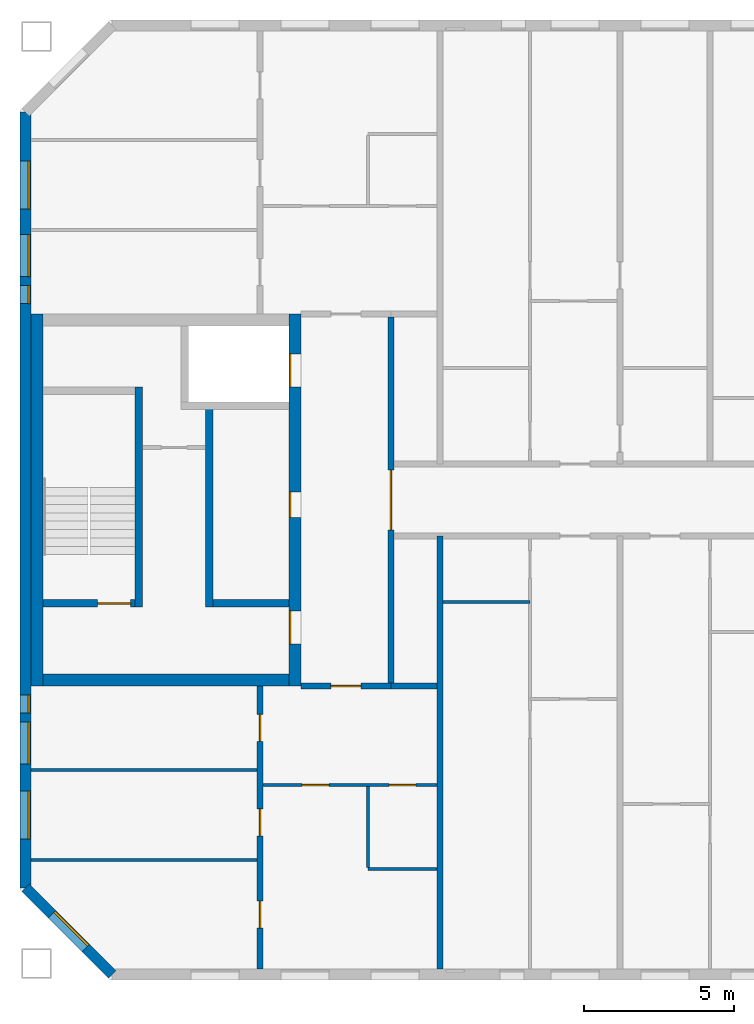
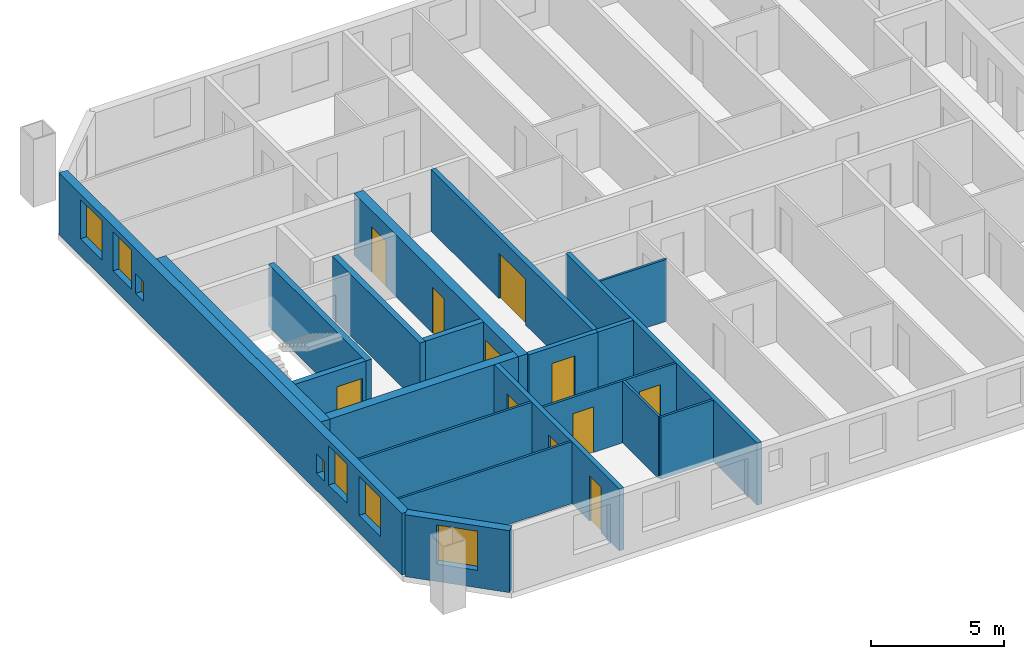
# One storey, part 4 of 19: 20 walls, 11 doors, 7 windows, 18 openings.
"""IFC4 building model written with IfcOpenShell, lengths in metres."""

from ifc_helpers import new_model, si_unit, direction, frame, frame_2d, origin, place, context, subcontext, project, spatial, rectangle, extrude, material, layer, layer_set, type_object, element, fill, save


model = new_model("IFC4")

# Units and contexts
model_context = context("Model", 3, precision=1e-05, world=origin(), true_north=direction((0.0, 1.0)))
body_context = subcontext(model_context, "Body", "Model", "MODEL_VIEW")
ifc_project = project(units=[si_unit("LENGTHUNIT", "METRE"), si_unit("AREAUNIT", "SQUARE_METRE"), si_unit("VOLUMEUNIT", "CUBIC_METRE"), si_unit("PLANEANGLEUNIT", "RADIAN"), si_unit("MASSUNIT", "GRAM", prefix="KILO")], contexts=[model_context])

# Site, building, storey
site_placement = place(None, origin())
site = spatial("IfcSite", under=ifc_project, at=site_placement, CompositionType="ELEMENT")
building_placement = place(site_placement, origin())
building = spatial("IfcBuilding", under=site, at=building_placement, Name="Tuart Gate Housing", CompositionType="ELEMENT")
storey_placement = place(building_placement, frame((0.0, 0.0, 224.5)))
storey = spatial("IfcBuildingStorey", under=building, at=storey_placement, Name="L63", CompositionType="ELEMENT", Elevation=224.5)

# Wall, opening, window
ifc_material_1 = material(Name="Brick", Category="masonry")
ifc_layer_1 = layer(ifc_material_1, 0.360107421875)
ifc_layer_set_1 = layer_set([ifc_layer_1], Name="Brick pier and spandrel wall 360")
wall_type_1 = type_object("IfcWallType", Name="Brick pier and spandrel wall 360", PredefinedType="STANDARD", material=ifc_layer_set_1)
wall_1_placement = place(storey_placement, frame((32.179931640625, 57.07470703125, 0.0), z_axis=(0.0, 0.0, 1.0), x_axis=(0.707106781187, -0.707106781187, 0.0)))
wall_1 = element("IfcWall", 1, at=wall_1_placement, inside=storey, type_object=wall_type_1, Name="External wall BLK-SW L63", PredefinedType="STANDARD", context=body_context, shape_type="SweptSolid", body=[
    extrude(rectangle(XDim=4.09375, YDim=0.360107421875, at=frame_2d((2.046875, 0.0))), origin(), (0.0, 0.0, 1.0), 2.85009765625),
])
opening_1_placement = place(wall_1_placement, frame((1.2470703125, 0.0, 0.800048828125)))
opening_1 = element("IfcOpeningElement", 2, at=opening_1_placement, cuts=wall_1, Name="Opening W1", PredefinedType="OPENING", context=body_context, shape_type="SweptSolid", body=[
    extrude(rectangle(XDim=1.60009765625, YDim=1.800048828125, at=frame_2d((0.800048828125, 0.89990234375))), frame((0.0, 0.18994140625, 0.0), z_axis=(0.0, -1.0, 0.0), x_axis=(1.0, 0.0, 0.0)), (0.0, 0.0, 1.0), 0.380126953125),
])
ifc_material_2 = material(Name="Aluminium frame with clear glass", Category="aluminium")
window_type_1 = type_object("IfcWindowType", Name="Punched window 1600 x 1800", PartitioningType="SINGLE_PANEL", PredefinedType="WINDOW", material=ifc_material_2)
window_1_placement = place(opening_1_placement, origin())
window_1 = element("IfcWindow", 3, at=window_1_placement, inside=storey, type_object=window_type_1, Name="Window W1", OverallHeight=1.800048828125, OverallWidth=1.60009765625, PartitioningType="SINGLE_PANEL", PredefinedType="WINDOW", context=body_context, shape_type="SweptSolid", body=[
    extrude(rectangle(XDim=1.60009765625, YDim=1.800048828125, at=frame_2d((0.800048828125, 0.89990234375))), frame((0.0, 0.150146484375, 0.0), z_axis=(0.0, -1.0, 0.0), x_axis=(1.0, 0.0, 0.0)), (0.0, 0.0, 1.0), 0.06005859375),
])
fill(opening_1, window_1)

# Wall, openings, windows
wall_2_placement = place(storey_placement, frame((32.179931640625, 82.92529296875, 0.0), z_axis=(0.0, 0.0, 1.0), x_axis=(0.0, -1.0, 0.0)))
wall_2 = element("IfcWall", 4, at=wall_2_placement, inside=storey, type_object=wall_type_1, Name="External wall BLK-W L63", PredefinedType="STANDARD", context=body_context, shape_type="SweptSolid", body=[
    extrude(rectangle(XDim=25.850830078125, YDim=0.360107421875, at=frame_2d((12.92529296875, 0.0))), origin(), (0.0, 0.0, 1.0), 2.85009765625),
])
opening_2_placement = place(wall_2_placement, frame((1.62548828125, 0.0, 0.800048828125)))
opening_2 = element("IfcOpeningElement", 5, at=opening_2_placement, cuts=wall_2, Name="Opening W1", PredefinedType="OPENING", context=body_context, shape_type="SweptSolid", body=[
    extrude(rectangle(XDim=1.60009765625, YDim=1.800048828125, at=frame_2d((0.800048828125, 0.89990234375))), frame((0.0, 0.18994140625, 0.0), z_axis=(0.0, -1.0, 0.0), x_axis=(1.0, 0.0, 0.0)), (0.0, 0.0, 1.0), 0.380126953125),
])
opening_3_placement = place(wall_2_placement, frame((4.075439453125, 0.0, 0.800048828125)))
opening_3 = element("IfcOpeningElement", 6, at=opening_3_placement, cuts=wall_2, Name="Opening W1A", PredefinedType="OPENING", context=body_context, shape_type="SweptSolid", body=[
    extrude(rectangle(XDim=1.39990234375, YDim=1.800048828125, at=frame_2d((0.699951171875, 0.89990234375))), frame((0.0, 0.18994140625, 0.0), z_axis=(0.0, -1.0, 0.0), x_axis=(1.0, 0.0, 0.0)), (0.0, 0.0, 1.0), 0.380126953125),
])
opening_4_placement = place(wall_2_placement, frame((19.42529296875, 0.0, 0.800048828125)))
opening_4 = element("IfcOpeningElement", 7, at=opening_4_placement, cuts=wall_2, Name="Opening W1W", PredefinedType="OPENING", context=body_context, shape_type="SweptSolid", body=[
    extrude(rectangle(XDim=0.60009765625, YDim=0.89990234375, at=frame_2d((0.300048828125, 0.449951171875))), frame((0.0, 0.18994140625, 0.0), z_axis=(0.0, -1.0, 0.0), x_axis=(1.0, 0.0, 0.0)), (0.0, 0.0, 1.0), 0.380126953125),
])
opening_5_placement = place(wall_2_placement, frame((22.62548828125, 0.0, 0.800048828125)))
opening_5 = element("IfcOpeningElement", 8, at=opening_5_placement, cuts=wall_2, Name="Opening W1", PredefinedType="OPENING", context=body_context, shape_type="SweptSolid", body=[
    extrude(rectangle(XDim=1.60009765625, YDim=1.800048828125, at=frame_2d((0.800048828125, 0.89990234375))), frame((0.0, 0.18994140625, 0.0), z_axis=(0.0, -1.0, 0.0), x_axis=(1.0, 0.0, 0.0)), (0.0, 0.0, 1.0), 0.380126953125),
])
opening_6_placement = place(wall_2_placement, frame((5.775390625, 0.0, 0.800048828125)))
opening_6 = element("IfcOpeningElement", 9, at=opening_6_placement, cuts=wall_2, Name="Opening W1W", PredefinedType="OPENING", context=body_context, shape_type="SweptSolid", body=[
    extrude(rectangle(XDim=0.60009765625, YDim=0.89990234375, at=frame_2d((0.300048828125, 0.449951171875))), frame((0.0, 0.18994140625, 0.0), z_axis=(0.0, -1.0, 0.0), x_axis=(1.0, 0.0, 0.0)), (0.0, 0.0, 1.0), 0.380126953125),
])
opening_7_placement = place(wall_2_placement, frame((20.325439453125, 0.0, 0.800048828125)))
opening_7 = element("IfcOpeningElement", 10, at=opening_7_placement, cuts=wall_2, Name="Opening W1A", PredefinedType="OPENING", context=body_context, shape_type="SweptSolid", body=[
    extrude(rectangle(XDim=1.39990234375, YDim=1.800048828125, at=frame_2d((0.699951171875, 0.89990234375))), frame((0.0, 0.18994140625, 0.0), z_axis=(0.0, -1.0, 0.0), x_axis=(1.0, 0.0, 0.0)), (0.0, 0.0, 1.0), 0.380126953125),
])
ifc_material_3 = material(Name="Aluminium frame with clear glass", Category="aluminium")
window_type_2 = type_object("IfcWindowType", Name="Punched window 1400 x 1800", PartitioningType="SINGLE_PANEL", PredefinedType="WINDOW", material=ifc_material_3)
window_2_placement = place(opening_3_placement, origin())
window_2 = element("IfcWindow", 11, at=window_2_placement, inside=storey, type_object=window_type_2, Name="Window W1A", OverallHeight=1.800048828125, OverallWidth=1.39990234375, PartitioningType="SINGLE_PANEL", PredefinedType="WINDOW", context=body_context, shape_type="SweptSolid", body=[
    extrude(rectangle(XDim=1.39990234375, YDim=1.800048828125, at=frame_2d((0.699951171875, 0.89990234375))), frame((0.0, 0.150146484375, 0.0), z_axis=(0.0, -1.0, 0.0), x_axis=(1.0, 0.0, 0.0)), (0.0, 0.0, 1.0), 0.06005859375),
])
fill(opening_3, window_2)
window_3_placement = place(opening_7_placement, origin())
window_3 = element("IfcWindow", 12, at=window_3_placement, inside=storey, type_object=window_type_2, Name="Window W1A", OverallHeight=1.800048828125, OverallWidth=1.39990234375, PartitioningType="SINGLE_PANEL", PredefinedType="WINDOW", context=body_context, shape_type="SweptSolid", body=[
    extrude(rectangle(XDim=1.39990234375, YDim=1.800048828125, at=frame_2d((0.699951171875, 0.89990234375))), frame((0.0, 0.150146484375, 0.0), z_axis=(0.0, -1.0, 0.0), x_axis=(1.0, 0.0, 0.0)), (0.0, 0.0, 1.0), 0.06005859375),
])
fill(opening_7, window_3)
window_4_placement = place(opening_2_placement, origin())
window_4 = element("IfcWindow", 13, at=window_4_placement, inside=storey, type_object=window_type_1, Name="Window W1", OverallHeight=1.800048828125, OverallWidth=1.60009765625, PartitioningType="SINGLE_PANEL", PredefinedType="WINDOW", context=body_context, shape_type="SweptSolid", body=[
    extrude(rectangle(XDim=1.60009765625, YDim=1.800048828125, at=frame_2d((0.800048828125, 0.89990234375))), frame((0.0, 0.150146484375, 0.0), z_axis=(0.0, -1.0, 0.0), x_axis=(1.0, 0.0, 0.0)), (0.0, 0.0, 1.0), 0.06005859375),
])
fill(opening_2, window_4)
window_5_placement = place(opening_5_placement, origin())
window_5 = element("IfcWindow", 14, at=window_5_placement, inside=storey, type_object=window_type_1, Name="Window W1", OverallHeight=1.800048828125, OverallWidth=1.60009765625, PartitioningType="SINGLE_PANEL", PredefinedType="WINDOW", context=body_context, shape_type="SweptSolid", body=[
    extrude(rectangle(XDim=1.60009765625, YDim=1.800048828125, at=frame_2d((0.800048828125, 0.89990234375))), frame((0.0, 0.150146484375, 0.0), z_axis=(0.0, -1.0, 0.0), x_axis=(1.0, 0.0, 0.0)), (0.0, 0.0, 1.0), 0.06005859375),
])
fill(opening_5, window_5)
ifc_material_4 = material(Name="Aluminium frame with clear glass", Category="aluminium")
window_type_3 = type_object("IfcWindowType", Name="Punched window 600 x 900", PartitioningType="SINGLE_PANEL", PredefinedType="WINDOW", material=ifc_material_4)
window_6_placement = place(opening_4_placement, origin())
window_6 = element("IfcWindow", 15, at=window_6_placement, inside=storey, type_object=window_type_3, Name="Window W1W", OverallHeight=0.89990234375, OverallWidth=0.60009765625, PartitioningType="SINGLE_PANEL", PredefinedType="WINDOW", context=body_context, shape_type="SweptSolid", body=[
    extrude(rectangle(XDim=0.60009765625, YDim=0.89990234375, at=frame_2d((0.300048828125, 0.449951171875))), frame((0.0, 0.150146484375, 0.0), z_axis=(0.0, -1.0, 0.0), x_axis=(1.0, 0.0, 0.0)), (0.0, 0.0, 1.0), 0.06005859375),
])
fill(opening_4, window_6)
window_7_placement = place(opening_6_placement, origin())
window_7 = element("IfcWindow", 16, at=window_7_placement, inside=storey, type_object=window_type_3, Name="Window W1W", OverallHeight=0.89990234375, OverallWidth=0.60009765625, PartitioningType="SINGLE_PANEL", PredefinedType="WINDOW", context=body_context, shape_type="SweptSolid", body=[
    extrude(rectangle(XDim=0.60009765625, YDim=0.89990234375, at=frame_2d((0.300048828125, 0.449951171875))), frame((0.0, 0.150146484375, 0.0), z_axis=(0.0, -1.0, 0.0), x_axis=(1.0, 0.0, 0.0)), (0.0, 0.0, 1.0), 0.06005859375),
])
fill(opening_6, window_7)

# Wall
ifc_material_5 = material(Name="Concrete C40", Category="concrete")
ifc_layer_2 = layer(ifc_material_5, 0.25)
ifc_layer_set_2 = layer_set([ifc_layer_2], Name="Core wall 250 C40")
wall_type_2 = type_object("IfcWallType", Name="Core wall 250 C40", PredefinedType="SHEAR", material=ifc_layer_set_2)
wall_3_placement = place(storey_placement, frame((40.9599609375, 66.550048828125, 0.0), z_axis=(0.0, 0.0, 1.0), x_axis=(-1.0, 0.0, 0.0)))
element("IfcWall", 17, at=wall_3_placement, inside=storey, type_object=wall_type_2, Name="Core wall AK.4", PredefinedType="SHEAR", context=body_context, shape_type="SweptSolid", body=[
    extrude(rectangle(XDim=2.52490234375, YDim=0.25, at=frame_2d((1.262451171875, 0.0))), origin(), (0.0, 0.0, 1.0), 2.85009765625),
])

# Wall, opening, door
wall_4_placement = place(storey_placement, frame((35.8349609375, 66.550048828125, 0.0), z_axis=(0.0, 0.0, 1.0), x_axis=(-1.0, 0.0, 0.0)))
wall_4 = element("IfcWall", 18, at=wall_4_placement, inside=storey, type_object=wall_type_2, Name="Core wall AK.5", PredefinedType="SHEAR", context=body_context, shape_type="SweptSolid", body=[
    extrude(rectangle(XDim=3.074951171875, YDim=0.25, at=frame_2d((1.53759765625, 0.0))), origin(), (0.0, 0.0, 1.0), 2.85009765625),
])
opening_8_placement = place(wall_4_placement, frame((0.14990234375, 0.0, 0.0)))
opening_8 = element("IfcOpeningElement", 19, at=opening_8_placement, cuts=wall_4, Name="Opening D2312", PredefinedType="OPENING", context=body_context, shape_type="SweptSolid", body=[
    extrude(rectangle(XDim=1.10009765625, YDim=2.10009765625, at=frame_2d((0.550048828125, 1.050048828125))), frame((0.0, 0.135009765625, 0.0), z_axis=(0.0, -1.0, 0.0), x_axis=(1.0, 0.0, 0.0)), (0.0, 0.0, 1.0), 0.27001953125),
])
ifc_material_6 = material(Name="Steel fire door", Category="steel")
door_type_1 = type_object("IfcDoorType", Name="Stair door 1100 x 2100 RH", OperationType="SINGLE_SWING_RIGHT", PredefinedType="DOOR", material=ifc_material_6)
door_1_placement = place(opening_8_placement, frame((1.10009765625, 0.0, 0.0), z_axis=(0.0, 0.0, 1.0), x_axis=(-1.0, 0.0, 0.0)))
door_1 = element("IfcDoor", 20, at=door_1_placement, inside=storey, type_object=door_type_1, Name="Stair door AK.SD", OperationType="SINGLE_SWING_RIGHT", OverallHeight=2.10009765625, OverallWidth=1.10009765625, PredefinedType="DOOR", context=body_context, shape_type="SweptSolid", body=[
    extrude(rectangle(XDim=1.10009765625, YDim=2.10009765625, at=frame_2d((0.550048828125, 1.050048828125))), frame((0.0, 0.025146484375, 0.0), z_axis=(0.0, -1.0, 0.0), x_axis=(1.0, 0.0, 0.0)), (0.0, 0.0, 1.0), 0.050048828125),
])
fill(opening_8, door_1)

# Walls
wall_5_placement = place(storey_placement, frame((38.31005859375, 73.02490234375, 0.0), z_axis=(0.0, 0.0, 1.0), x_axis=(0.0, -1.0, 0.0)))
element("IfcWall", 21, at=wall_5_placement, inside=storey, type_object=wall_type_2, Name="Core wall AK.6", PredefinedType="SHEAR", context=body_context, shape_type="SweptSolid", body=[
    extrude(rectangle(XDim=6.599853515625, YDim=0.25, at=frame_2d((3.2998046875, 0.0))), origin(), (0.0, 0.0, 1.0), 2.85009765625),
])
wall_6_placement = place(storey_placement, frame((35.9599609375, 73.77490234375, 0.0), z_axis=(0.0, 0.0, 1.0), x_axis=(0.0, -1.0, 0.0)))
element("IfcWall", 22, at=wall_6_placement, inside=storey, type_object=wall_type_2, Name="Core wall AK.8", PredefinedType="SHEAR", context=body_context, shape_type="SweptSolid", body=[
    extrude(rectangle(XDim=7.349853515625, YDim=0.25, at=frame_2d((3.6748046875, 0.0))), origin(), (0.0, 0.0, 1.0), 2.85009765625),
])

# Wall, openings, doors
ifc_material_7 = material(Name="Concrete C40", Category="concrete")
ifc_layer_3 = layer(ifc_material_7, 0.39990234375)
ifc_layer_set_3 = layer_set([ifc_layer_3], Name="Core wall 400 C40")
wall_type_3 = type_object("IfcWallType", Name="Core wall 400 C40", PredefinedType="SHEAR", material=ifc_layer_set_3)
wall_7_placement = place(storey_placement, frame((41.159912109375, 76.199951171875, 0.0), z_axis=(0.0, 0.0, 1.0), x_axis=(0.0, -1.0, 0.0)))
wall_7 = element("IfcWall", 23, at=wall_7_placement, inside=storey, type_object=wall_type_3, Name="Core wall AK front", PredefinedType="SHEAR", context=body_context, shape_type="SweptSolid", body=[
    extrude(rectangle(XDim=12.39990234375, YDim=0.39990234375, at=frame_2d((6.199951171875, 0.0))), origin(), (0.0, 0.0, 1.0), 2.85009765625),
])
opening_9_placement = place(wall_7_placement, frame((1.324951171875, 0.0, 0.0)))
opening_9 = element("IfcOpeningElement", 24, at=opening_9_placement, cuts=wall_7, Name="Opening LD-FA2", PredefinedType="OPENING", context=body_context, shape_type="SweptSolid", body=[
    extrude(rectangle(XDim=1.10009765625, YDim=2.10009765625, at=frame_2d((0.550048828125, 1.050048828125))), frame((0.0, 0.2099609375, 0.0), z_axis=(0.0, -1.0, 0.0), x_axis=(1.0, 0.0, 0.0)), (0.0, 0.0, 1.0), 0.419921875),
])
opening_10_placement = place(wall_7_placement, frame((5.925048828125, 0.0, 0.0)))
opening_10 = element("IfcOpeningElement", 25, at=opening_10_placement, cuts=wall_7, Name="Opening D2302", PredefinedType="OPENING", context=body_context, shape_type="SweptSolid", body=[
    extrude(rectangle(XDim=0.85009765625, YDim=2.10009765625, at=frame_2d((0.425048828125, 1.050048828125))), frame((0.0, 0.2099609375, 0.0), z_axis=(0.0, -1.0, 0.0), x_axis=(1.0, 0.0, 0.0)), (0.0, 0.0, 1.0), 0.419921875),
])
opening_11_placement = place(wall_7_placement, frame((9.89990234375, 0.0, 0.0)))
opening_11 = element("IfcOpeningElement", 26, at=opening_11_placement, cuts=wall_7, Name="Opening D2301", PredefinedType="OPENING", context=body_context, shape_type="SweptSolid", body=[
    extrude(rectangle(XDim=1.10009765625, YDim=2.10009765625, at=frame_2d((0.550048828125, 1.050048828125))), frame((0.0, 0.2099609375, 0.0), z_axis=(0.0, -1.0, 0.0), x_axis=(1.0, 0.0, 0.0)), (0.0, 0.0, 1.0), 0.419921875),
])
ifc_material_8 = material(Name="Stainless steel", Category="steel")
door_type_2 = type_object("IfcDoorType", Name="Landing door 1100 x 2100", OperationType="DOUBLE_DOOR_SLIDING", PredefinedType="DOOR", material=ifc_material_8)
door_2_placement = place(opening_9_placement, origin())
door_2 = element("IfcDoor", 27, at=door_2_placement, inside=storey, type_object=door_type_2, Name="Lift landing door FA2", OperationType="DOUBLE_DOOR_SLIDING", OverallHeight=2.10009765625, OverallWidth=1.10009765625, PredefinedType="DOOR", context=body_context, shape_type="SweptSolid", body=[
    extrude(rectangle(XDim=1.10009765625, YDim=2.10009765625, at=frame_2d((0.550048828125, 1.050048828125))), frame((0.0, -0.134765625, 0.0), z_axis=(0.0, -1.0, 0.0), x_axis=(1.0, 0.0, 0.0)), (0.0, 0.0, 1.0), 0.050048828125),
])
fill(opening_9, door_2)
ifc_material_9 = material(Name="Steel fire door", Category="steel")
door_type_3 = type_object("IfcDoorType", Name="Lobby door 1100 x 2100 RH", OperationType="SINGLE_SWING_RIGHT", PredefinedType="DOOR", material=ifc_material_9)
door_3_placement = place(opening_11_placement, frame((1.10009765625, 0.0, 0.0), z_axis=(0.0, 0.0, 1.0), x_axis=(-1.0, 0.0, 0.0)))
door_3 = element("IfcDoor", 28, at=door_3_placement, inside=storey, type_object=door_type_3, Name="Lobby entry door AK.EN", OperationType="SINGLE_SWING_RIGHT", OverallHeight=2.10009765625, OverallWidth=1.10009765625, PredefinedType="DOOR", context=body_context, shape_type="SweptSolid", body=[
    extrude(rectangle(XDim=1.10009765625, YDim=2.10009765625, at=frame_2d((0.550048828125, 1.050048828125))), frame((0.0, 0.184814453125, 0.0), z_axis=(0.0, -1.0, 0.0), x_axis=(1.0, 0.0, 0.0)), (0.0, 0.0, 1.0), 0.050048828125),
])
fill(opening_11, door_3)
ifc_material_10 = material(Name="Steel fire door", Category="steel")
door_type_4 = type_object("IfcDoorType", Name="Service door 850 x 2100 RH", OperationType="SINGLE_SWING_RIGHT", PredefinedType="DOOR", material=ifc_material_10)
door_4_placement = place(opening_10_placement, frame((0.85009765625, 0.0, 0.0), z_axis=(0.0, 0.0, 1.0), x_axis=(-1.0, 0.0, 0.0)))
door_4 = element("IfcDoor", 29, at=door_4_placement, inside=storey, type_object=door_type_4, Name="Service room door AK.FR1", OperationType="SINGLE_SWING_RIGHT", OverallHeight=2.10009765625, OverallWidth=0.85009765625, PredefinedType="DOOR", context=body_context, shape_type="SweptSolid", body=[
    extrude(rectangle(XDim=0.85009765625, YDim=2.10009765625, at=frame_2d((0.425048828125, 1.050048828125))), frame((0.0, 0.184814453125, 0.0), z_axis=(0.0, -1.0, 0.0), x_axis=(1.0, 0.0, 0.0)), (0.0, 0.0, 1.0), 0.050048828125),
])
fill(opening_10, door_4)

# Walls
wall_8_placement = place(storey_placement, frame((32.56005859375, 76.199951171875, 0.0), z_axis=(0.0, 0.0, 1.0), x_axis=(0.0, -1.0, 0.0)))
element("IfcWall", 30, at=wall_8_placement, inside=storey, type_object=wall_type_3, Name="Core wall AK back", PredefinedType="SHEAR", context=body_context, shape_type="SweptSolid", body=[
    extrude(rectangle(XDim=12.39990234375, YDim=0.39990234375, at=frame_2d((6.199951171875, 0.0))), origin(), (0.0, 0.0, 1.0), 2.85009765625),
])
wall_9_placement = place(storey_placement, frame((40.9599609375, 64.0, 0.0), z_axis=(0.0, 0.0, 1.0), x_axis=(-1.0, 0.0, 0.0)))
element("IfcWall", 31, at=wall_9_placement, inside=storey, type_object=wall_type_3, Name="Core wall AK north", PredefinedType="SHEAR", context=body_context, shape_type="SweptSolid", body=[
    extrude(rectangle(XDim=8.199951171875, YDim=0.39990234375, at=frame_2d((4.10009765625, 0.0))), origin(), (0.0, 0.0, 1.0), 2.85009765625),
])

# Wall, opening, door
ifc_material_11 = material(Name="Concrete masonry 15 MPa", Category="masonry")
ifc_layer_4 = layer(ifc_material_11, 0.199951171875)
ifc_layer_set_4 = layer_set([ifc_layer_4], Name="Enclosure wall masonry 200")
wall_type_4 = type_object("IfcWallType", Name="Enclosure wall masonry 200", PredefinedType="PARTITIONING", material=ifc_layer_set_4)
wall_10_placement = place(storey_placement, frame((41.360107421875, 63.800048828125, 0.0), z_axis=(0.0, 0.0, 1.0), x_axis=(1.0, 0.0, 0.0)))
wall_10 = element("IfcWall", 32, at=wall_10_placement, inside=storey, type_object=wall_type_4, Name="Enclosure wall masonry 200", PredefinedType="PARTITIONING", context=body_context, shape_type="SweptSolid", body=[
    extrude(rectangle(XDim=3.0, YDim=0.199951171875, at=frame_2d((1.5, 0.0))), origin(), (0.0, 0.0, 1.0), 2.85009765625),
])
opening_12_placement = place(wall_10_placement, frame((1.0, 0.0, 0.0)))
opening_12 = element("IfcOpeningElement", 33, at=opening_12_placement, cuts=wall_10, Name="Opening D2313", PredefinedType="OPENING", context=body_context, shape_type="SweptSolid", body=[
    extrude(rectangle(XDim=1.0, YDim=2.10009765625, at=frame_2d((0.5, 1.050048828125))), frame((0.0, 0.10986328125, 0.0), z_axis=(0.0, -1.0, 0.0), x_axis=(1.0, 0.0, 0.0)), (0.0, 0.0, 1.0), 0.219970703125),
])
ifc_material_12 = material(Name="Timber door leaf in steel frame", Category="steel")
door_type_5 = type_object("IfcDoorType", Name="Flat entrance door 1000 RH", OperationType="SINGLE_SWING_RIGHT", PredefinedType="DOOR", material=ifc_material_12)
door_5_placement = place(opening_12_placement, frame((1.0, 0.0, 0.0), z_axis=(0.0, 0.0, 1.0), x_axis=(-1.0, 0.0, 0.0)))
door_5 = element("IfcDoor", 34, at=door_5_placement, inside=storey, type_object=door_type_5, Name="Flat entrance door", OperationType="SINGLE_SWING_RIGHT", OverallHeight=2.10009765625, OverallWidth=1.0, PredefinedType="DOOR", context=body_context, shape_type="SweptSolid", body=[
    extrude(rectangle(XDim=1.0, YDim=2.10009765625, at=frame_2d((0.5, 1.050048828125))), frame((0.0, 0.025146484375, 0.0), z_axis=(0.0, -1.0, 0.0), x_axis=(1.0, 0.0, 0.0)), (0.0, 0.0, 1.0), 0.050048828125),
])
fill(opening_12, door_5)

ifc_material_13 = material(Name="Plasterboard partition")
ifc_layer_5 = layer(ifc_material_13, 0.199951171875)
ifc_layer_set_5 = layer_set([ifc_layer_5], Name="Lobby wall 200")
wall_type_5 = type_object("IfcWallType", Name="Lobby wall 200", PredefinedType="PARTITIONING", material=ifc_layer_set_5)
wall_11_placement = place(storey_placement, frame((44.360107421875, 63.89990234375, 0.0), z_axis=(0.0, 0.0, 1.0), x_axis=(0.0, 1.0, 0.0)))
wall_11 = element("IfcWall", 35, at=wall_11_placement, inside=storey, type_object=wall_type_5, Name="Lift lobby wall AK", PredefinedType="PARTITIONING", context=body_context, shape_type="SweptSolid", body=[
    extrude(rectangle(XDim=12.2001953125, YDim=0.199951171875, at=frame_2d((6.10009765625, 0.0))), origin(), (0.0, 0.0, 1.0), 2.85009765625),
])
opening_13_placement = place(wall_11_placement, frame((5.10009765625, 0.0, 0.0)))
opening_13 = element("IfcOpeningElement", 36, at=opening_13_placement, cuts=wall_11, Name="Opening D2303", PredefinedType="OPENING", context=body_context, shape_type="SweptSolid", body=[
    extrude(rectangle(XDim=2.0, YDim=2.10009765625, at=frame_2d((1.0, 1.050048828125))), frame((0.0, 0.10986328125, 0.0), z_axis=(0.0, -1.0, 0.0), x_axis=(1.0, 0.0, 0.0)), (0.0, 0.0, 1.0), 0.219970703125),
])
ifc_material_14 = material(Name="Steel fire door", Category="steel")
door_type_6 = type_object("IfcDoorType", Name="Smoke door 2000 x 2100", OperationType="DOUBLE_DOOR_SINGLE_SWING", PredefinedType="DOOR", material=ifc_material_14)
door_6_placement = place(opening_13_placement, origin())
door_6 = element("IfcDoor", 37, at=door_6_placement, inside=storey, type_object=door_type_6, Name="Lift lobby smoke door AK", OperationType="DOUBLE_DOOR_SINGLE_SWING", OverallHeight=2.10009765625, OverallWidth=2.0, PredefinedType="DOOR", context=body_context, shape_type="SweptSolid", body=[
    extrude(rectangle(XDim=2.0, YDim=2.10009765625, at=frame_2d((1.0, 1.050048828125))), frame((0.0, 0.02490234375, 0.0), z_axis=(0.0, -1.0, 0.0), x_axis=(1.0, 0.0, 0.0)), (0.0, 0.0, 1.0), 0.050048828125),
])
fill(opening_13, door_6)

# Walls
ifc_material_15 = material(Name="Gypsum board on steel studs", Category="steel")
ifc_layer_6 = layer(ifc_material_15, 0.10009765625)
ifc_layer_set_6 = layer_set([ifc_layer_6], Name="Partition 100")
wall_type_6 = type_object("IfcWallType", Name="Partition 100", PredefinedType="PARTITIONING", material=ifc_layer_set_6)
wall_12_placement = place(storey_placement, frame((43.60009765625, 57.699951171875, 0.0), z_axis=(0.0, 0.0, 1.0), x_axis=(1.0, 0.0, 0.0)))
element("IfcWall", 38, at=wall_12_placement, inside=storey, type_object=wall_type_6, Name="Partition 100", PredefinedType="PARTITIONING", context=body_context, shape_type="SweptSolid", body=[
    extrude(rectangle(XDim=2.2998046875, YDim=0.10009765625, at=frame_2d((1.14990234375, 0.0))), origin(), (0.0, 0.0, 1.0), 2.85009765625),
])
wall_13_placement = place(storey_placement, frame((32.360107421875, 58.0, 0.0), z_axis=(0.0, 0.0, 1.0), x_axis=(1.0, 0.0, 0.0)))
element("IfcWall", 39, at=wall_13_placement, inside=storey, type_object=wall_type_6, Name="Partition 100", PredefinedType="PARTITIONING", context=body_context, shape_type="SweptSolid", body=[
    extrude(rectangle(XDim=7.539794921875, YDim=0.10009765625, at=frame_2d((3.77001953125, 0.0))), origin(), (0.0, 0.0, 1.0), 2.85009765625),
])

# Wall, openings, doors
wall_14_placement = place(storey_placement, frame((40.10009765625, 60.5, 0.0), z_axis=(0.0, 0.0, 1.0), x_axis=(1.0, 0.0, 0.0)))
wall_14 = element("IfcWall", 40, at=wall_14_placement, inside=storey, type_object=wall_type_6, Name="Partition 100", PredefinedType="PARTITIONING", context=body_context, shape_type="SweptSolid", body=[
    extrude(rectangle(XDim=5.7998046875, YDim=0.10009765625, at=frame_2d((2.89990234375, 0.0))), origin(), (0.0, 0.0, 1.0), 2.85009765625),
])
opening_14_placement = place(wall_14_placement, frame((1.300048828125, 0.0, 0.0)))
opening_14 = element("IfcOpeningElement", 41, at=opening_14_placement, cuts=wall_14, Name="Opening D2324", PredefinedType="OPENING", context=body_context, shape_type="SweptSolid", body=[
    extrude(rectangle(XDim=0.89990234375, YDim=2.10009765625, at=frame_2d((0.449951171875, 1.050048828125))), frame((0.0, 0.06005859375, 0.0), z_axis=(0.0, -1.0, 0.0), x_axis=(1.0, 0.0, 0.0)), (0.0, 0.0, 1.0), 0.1201171875),
])
opening_15_placement = place(wall_14_placement, frame((4.199951171875, 0.0, 0.0)))
opening_15 = element("IfcOpeningElement", 42, at=opening_15_placement, cuts=wall_14, Name="Opening D2323", PredefinedType="OPENING", context=body_context, shape_type="SweptSolid", body=[
    extrude(rectangle(XDim=0.89990234375, YDim=2.10009765625, at=frame_2d((0.449951171875, 1.050048828125))), frame((0.0, 0.06005859375, 0.0), z_axis=(0.0, -1.0, 0.0), x_axis=(1.0, 0.0, 0.0)), (0.0, 0.0, 1.0), 0.1201171875),
])
ifc_material_16 = material(Name="Timber door leaf in steel frame", Category="steel")
door_type_7 = type_object("IfcDoorType", Name="Bathroom door 900 RH", OperationType="SINGLE_SWING_RIGHT", PredefinedType="DOOR", material=ifc_material_16)
door_7_placement = place(opening_15_placement, frame((0.89990234375, 0.0, 0.0), z_axis=(0.0, 0.0, 1.0), x_axis=(-1.0, 0.0, 0.0)))
door_7 = element("IfcDoor", 43, at=door_7_placement, inside=storey, type_object=door_type_7, Name="Bathroom door", OperationType="SINGLE_SWING_RIGHT", OverallHeight=2.10009765625, OverallWidth=0.89990234375, PredefinedType="DOOR", context=body_context, shape_type="SweptSolid", body=[
    extrude(rectangle(XDim=0.89990234375, YDim=2.10009765625, at=frame_2d((0.449951171875, 1.050048828125))), frame((0.0, 0.025146484375, 0.0), z_axis=(0.0, -1.0, 0.0), x_axis=(1.0, 0.0, 0.0)), (0.0, 0.0, 1.0), 0.050048828125),
])
fill(opening_15, door_7)
ifc_material_17 = material(Name="Timber door leaf in steel frame", Category="steel")
door_type_8 = type_object("IfcDoorType", Name="Internal door 900", OperationType="SINGLE_SWING_LEFT", PredefinedType="DOOR", material=ifc_material_17)
door_8_placement = place(opening_14_placement, origin())
door_8 = element("IfcDoor", 44, at=door_8_placement, inside=storey, type_object=door_type_8, Name="Internal door", OperationType="SINGLE_SWING_LEFT", OverallHeight=2.10009765625, OverallWidth=0.89990234375, PredefinedType="DOOR", context=body_context, shape_type="SweptSolid", body=[
    extrude(rectangle(XDim=0.89990234375, YDim=2.10009765625, at=frame_2d((0.449951171875, 1.050048828125))), frame((0.0, 0.02490234375, 0.0), z_axis=(0.0, -1.0, 0.0), x_axis=(1.0, 0.0, 0.0)), (0.0, 0.0, 1.0), 0.050048828125),
])
fill(opening_14, door_8)

# Walls
wall_15_placement = place(storey_placement, frame((32.360107421875, 61.0, 0.0), z_axis=(0.0, 0.0, 1.0), x_axis=(1.0, 0.0, 0.0)))
element("IfcWall", 45, at=wall_15_placement, inside=storey, type_object=wall_type_6, Name="Partition 100", PredefinedType="PARTITIONING", context=body_context, shape_type="SweptSolid", body=[
    extrude(rectangle(XDim=7.539794921875, YDim=0.10009765625, at=frame_2d((3.77001953125, 0.0))), origin(), (0.0, 0.0, 1.0), 2.85009765625),
])
wall_16_placement = place(storey_placement, frame((46.10009765625, 66.60009765625, 0.0), z_axis=(0.0, 0.0, 1.0), x_axis=(1.0, 0.0, 0.0)))
element("IfcWall", 46, at=wall_16_placement, inside=storey, type_object=wall_type_6, Name="Partition 100", PredefinedType="PARTITIONING", context=body_context, shape_type="SweptSolid", body=[
    extrude(rectangle(XDim=2.89990234375, YDim=0.10009765625, at=frame_2d((1.449951171875, 0.0))), origin(), (0.0, 0.0, 1.0), 2.85009765625),
])
wall_17_placement = place(storey_placement, frame((43.60009765625, 57.75, 0.0), z_axis=(0.0, 0.0, 1.0), x_axis=(0.0, 1.0, 0.0)))
element("IfcWall", 47, at=wall_17_placement, inside=storey, type_object=wall_type_6, Name="Partition 100", PredefinedType="PARTITIONING", context=body_context, shape_type="SweptSolid", body=[
    extrude(rectangle(XDim=2.699951171875, YDim=0.10009765625, at=frame_2d((1.35009765625, 0.0))), origin(), (0.0, 0.0, 1.0), 2.85009765625),
])

# Wall, openings, doors
ifc_material_18 = material(Name="Concrete C40", Category="concrete")
ifc_layer_7 = layer(ifc_material_18, 0.199951171875)
ifc_layer_set_7 = layer_set([ifc_layer_7], Name="Party wall concrete C40 200")
wall_type_7 = type_object("IfcWallType", Name="Party wall concrete C40 200", PredefinedType="SOLIDWALL", material=ifc_layer_set_7)
wall_18_placement = place(storey_placement, frame((40.0, 54.360107421875, 0.0), z_axis=(0.0, 0.0, 1.0), x_axis=(0.0, 1.0, 0.0)))
wall_18 = element("IfcWall", 48, at=wall_18_placement, inside=storey, type_object=wall_type_7, Name="Party wall concrete C40 200", PredefinedType="SOLIDWALL", context=body_context, shape_type="SweptSolid", body=[
    extrude(rectangle(XDim=9.43994140625, YDim=0.199951171875, at=frame_2d((4.719970703125, 0.0))), origin(), (0.0, 0.0, 1.0), 2.85009765625),
])
opening_16_placement = place(wall_18_placement, frame((1.3701171875, 0.0, 0.0)))
opening_16 = element("IfcOpeningElement", 49, at=opening_16_placement, cuts=wall_18, Name="Opening D2328", PredefinedType="OPENING", context=body_context, shape_type="SweptSolid", body=[
    extrude(rectangle(XDim=0.89990234375, YDim=2.10009765625, at=frame_2d((0.449951171875, 1.050048828125))), frame((0.0, 0.10986328125, 0.0), z_axis=(0.0, -1.0, 0.0), x_axis=(1.0, 0.0, 0.0)), (0.0, 0.0, 1.0), 0.219970703125),
])
opening_17_placement = place(wall_18_placement, frame((4.43994140625, 0.0, 0.0)))
opening_17 = element("IfcOpeningElement", 50, at=opening_17_placement, cuts=wall_18, Name="Opening D2329", PredefinedType="OPENING", context=body_context, shape_type="SweptSolid", body=[
    extrude(rectangle(XDim=0.89990234375, YDim=2.10009765625, at=frame_2d((0.449951171875, 1.050048828125))), frame((0.0, 0.10986328125, 0.0), z_axis=(0.0, -1.0, 0.0), x_axis=(1.0, 0.0, 0.0)), (0.0, 0.0, 1.0), 0.219970703125),
])
opening_18_placement = place(wall_18_placement, frame((7.590087890625, 0.0, 0.0)))
opening_18 = element("IfcOpeningElement", 51, at=opening_18_placement, cuts=wall_18, Name="Opening D2330", PredefinedType="OPENING", context=body_context, shape_type="SweptSolid", body=[
    extrude(rectangle(XDim=0.89990234375, YDim=2.10009765625, at=frame_2d((0.449951171875, 1.050048828125))), frame((0.0, 0.10986328125, 0.0), z_axis=(0.0, -1.0, 0.0), x_axis=(1.0, 0.0, 0.0)), (0.0, 0.0, 1.0), 0.219970703125),
])
door_9_placement = place(opening_16_placement, origin())
door_9 = element("IfcDoor", 52, at=door_9_placement, inside=storey, type_object=door_type_8, Name="Internal door", OperationType="SINGLE_SWING_LEFT", OverallHeight=2.10009765625, OverallWidth=0.89990234375, PredefinedType="DOOR", context=body_context, shape_type="SweptSolid", body=[
    extrude(rectangle(XDim=0.89990234375, YDim=2.10009765625, at=frame_2d((0.449951171875, 1.050048828125))), frame((0.0, 0.02490234375, 0.0), z_axis=(0.0, -1.0, 0.0), x_axis=(1.0, 0.0, 0.0)), (0.0, 0.0, 1.0), 0.050048828125),
])
fill(opening_16, door_9)
door_10_placement = place(opening_17_placement, origin())
door_10 = element("IfcDoor", 53, at=door_10_placement, inside=storey, type_object=door_type_8, Name="Internal door", OperationType="SINGLE_SWING_LEFT", OverallHeight=2.10009765625, OverallWidth=0.89990234375, PredefinedType="DOOR", context=body_context, shape_type="SweptSolid", body=[
    extrude(rectangle(XDim=0.89990234375, YDim=2.10009765625, at=frame_2d((0.449951171875, 1.050048828125))), frame((0.0, 0.02490234375, 0.0), z_axis=(0.0, -1.0, 0.0), x_axis=(1.0, 0.0, 0.0)), (0.0, 0.0, 1.0), 0.050048828125),
])
fill(opening_17, door_10)
door_11_placement = place(opening_18_placement, origin())
door_11 = element("IfcDoor", 54, at=door_11_placement, inside=storey, type_object=door_type_8, Name="Internal door", OperationType="SINGLE_SWING_LEFT", OverallHeight=2.10009765625, OverallWidth=0.89990234375, PredefinedType="DOOR", context=body_context, shape_type="SweptSolid", body=[
    extrude(rectangle(XDim=0.89990234375, YDim=2.10009765625, at=frame_2d((0.449951171875, 1.050048828125))), frame((0.0, 0.02490234375, 0.0), z_axis=(0.0, -1.0, 0.0), x_axis=(1.0, 0.0, 0.0)), (0.0, 0.0, 1.0), 0.050048828125),
])
fill(opening_18, door_11)

# Walls
wall_19_placement = place(storey_placement, frame((46.0, 54.360107421875, 0.0), z_axis=(0.0, 0.0, 1.0), x_axis=(0.0, 1.0, 0.0)))
element("IfcWall", 55, at=wall_19_placement, inside=storey, type_object=wall_type_7, Name="Party wall concrete C40 200", PredefinedType="SOLIDWALL", context=body_context, shape_type="SweptSolid", body=[
    extrude(rectangle(XDim=14.43994140625, YDim=0.199951171875, at=frame_2d((7.219970703125, 0.0))), origin(), (0.0, 0.0, 1.0), 2.85009765625),
])
ifc_material_19 = material(Name="Concrete masonry 15 MPa", Category="masonry")
ifc_layer_8 = layer(ifc_material_19, 0.199951171875)
ifc_layer_set_8 = layer_set([ifc_layer_8], Name="Party wall masonry 200")
wall_type_8 = type_object("IfcWallType", Name="Party wall masonry 200", PredefinedType="PARTITIONING", material=ifc_layer_set_8)
wall_20_placement = place(storey_placement, frame((44.360107421875, 63.800048828125, 0.0), z_axis=(0.0, 0.0, 1.0), x_axis=(1.0, 0.0, 0.0)))
element("IfcWall", 56, at=wall_20_placement, inside=storey, type_object=wall_type_8, Name="Party wall masonry 200", PredefinedType="PARTITIONING", context=body_context, shape_type="SweptSolid", body=[
    extrude(rectangle(XDim=1.539794921875, YDim=0.199951171875, at=frame_2d((0.77001953125, 0.0))), origin(), (0.0, 0.0, 1.0), 2.85009765625),
])

save(model, "model.ifc")
